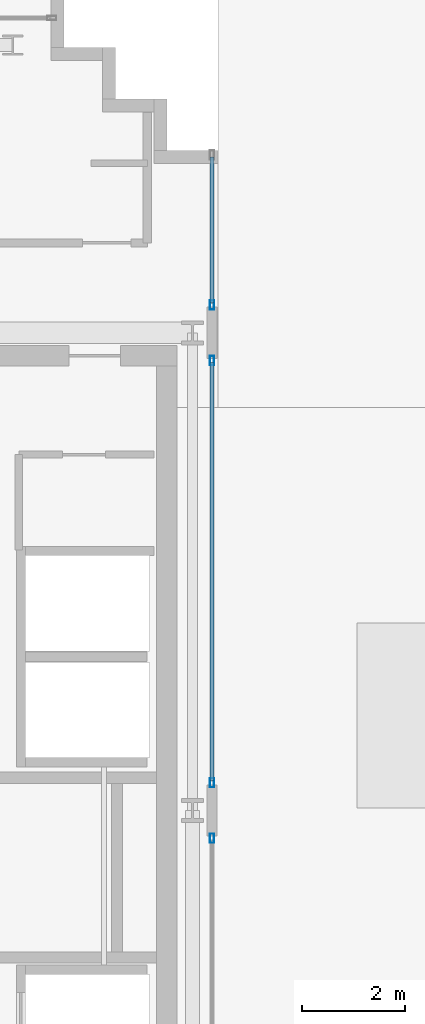
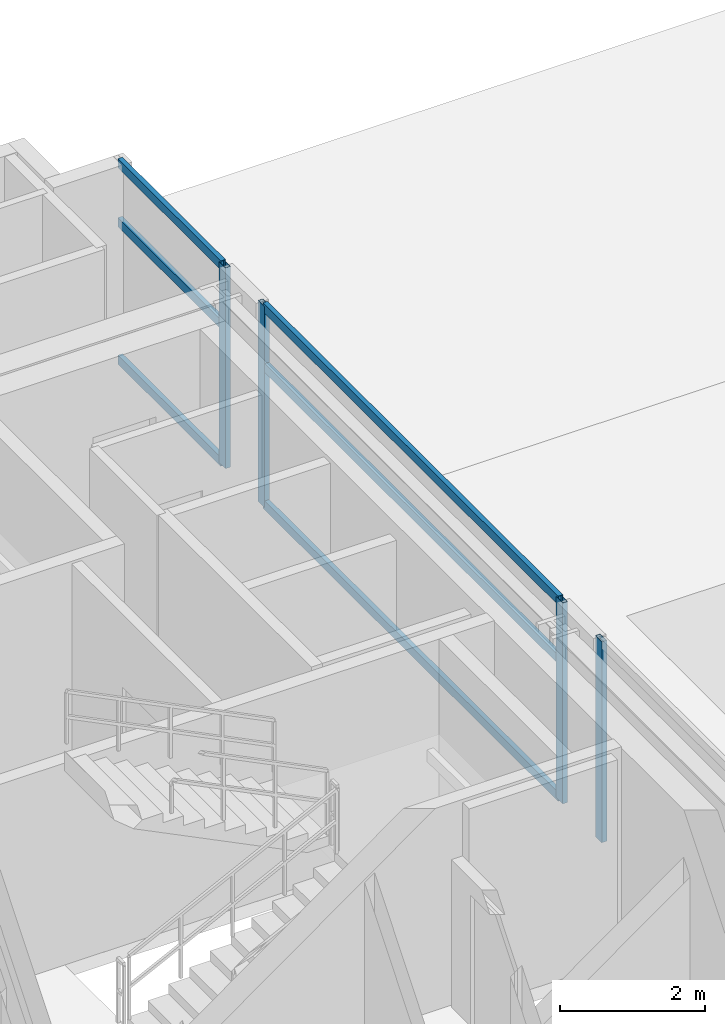
# One storey, part 7 of 25: 10 members, 3 elements without a shape of their own.
"""IFC4 building model written with IfcOpenShell, lengths in metres."""

from ifc_helpers import new_model, si_unit, direction, frame, origin, origin_2d, place, context, subcontext, project, spatial, hollow_rectangle, extrude, source, transform, mapped, material, layer, layer_set, material_profile, profile_set, type_object, element, aggregate, save


model = new_model("IFC4")

# Units and contexts
model_context = context("Model", 3, precision=1e-05, world=origin(), true_north=direction((0.0, 1.0)))
body_context = subcontext(model_context, "Body", "Model", "MODEL_VIEW")
ifc_project = project(units=[si_unit("LENGTHUNIT", "METRE"), si_unit("AREAUNIT", "SQUARE_METRE"), si_unit("VOLUMEUNIT", "CUBIC_METRE"), si_unit("PLANEANGLEUNIT", "RADIAN"), si_unit("MASSUNIT", "GRAM", prefix="KILO")], contexts=[model_context])

# Site, building, storey
site_placement = place(None, origin())
site = spatial("IfcSite", under=ifc_project, at=site_placement, CompositionType="ELEMENT")
building_placement = place(site_placement, origin())
building = spatial("IfcBuilding", under=site, at=building_placement, Name="Ocotamira Hotel", CompositionType="ELEMENT")
storey_placement = place(building_placement, frame((0.0, 0.0, 250.800048828125)))
storey = spatial("IfcBuildingStorey", under=building, at=storey_placement, Name="L63", CompositionType="ELEMENT", Elevation=250.800048828125)

# Curtain wall, member
ifc_material_1 = material(Name="Anodised pale-metal aluminium and solar glass", Category="aluminium")
ifc_layer = layer(ifc_material_1, 0.2099609375)
ifc_layer_set = layer_set([ifc_layer], Name="Anodised pale-metal aluminium and solar glass")
curtain_wall_type = type_object("IfcCurtainWallType", Name="CW-SYS7-PEAK", PredefinedType="NOTDEFINED", material=ifc_layer_set)
curtain_wall_1_placement = place(storey_placement, origin())
curtain_wall_1 = element("IfcCurtainWall", 1, at=curtain_wall_1_placement, inside=storey, type_object=curtain_wall_type, Name="L63 Curtain Wall CW-7 CW-L63-WI2", PredefinedType="NOTDEFINED")
ifc_material_2 = material(Name="Anodised pale-metal aluminium 6063-T6", Category="aluminium")
ifc_material_profile_1 = material_profile(ifc_material_2, hollow_rectangle(XDim=0.080078125, YDim=0.179931640625, WallThickness=0.006103515625, at=origin_2d()), Name="HSS180X80X6")
ifc_profile_set_1 = profile_set([ifc_material_profile_1], Name="Anodised pale-metal aluminium 6063-T6")
member_type_1 = type_object("IfcMemberType", Name="CWM-180X75", PredefinedType="MULLION", material=ifc_profile_set_1)
shared_shape_1 = source(origin(), body_context, "Body", "SweptSolid", [
    extrude(hollow_rectangle(XDim=0.080078125, YDim=0.179931640625, WallThickness=0.006103515625, at=origin_2d()), origin(), (0.0, 0.0, 1.0), 3.3798828125),
])
member_1_placement = place(storey_placement, frame((23.8798828125, 27.610107421875, 0.0), z_axis=(0.0, 0.0, 1.0), x_axis=(-1.0, 0.0, 0.0)))
member_1 = element("IfcMember", 2, at=member_1_placement, type_object=member_type_1, Name="CW-7 mullion 3", PredefinedType="MULLION", context=body_context, shape_type="MappedRepresentation", body=[
    mapped(shared_shape_1, transform((0.0, 0.0, 0.0), scale=1.0)),
])
aggregate(curtain_wall_1, [member_1])

# Curtain wall, members
curtain_wall_2_placement = place(storey_placement, origin())
curtain_wall_2 = element("IfcCurtainWall", 3, at=curtain_wall_2_placement, inside=storey, type_object=curtain_wall_type, Name="L63 Curtain Wall CW-7 CW-L63-WI3", PredefinedType="NOTDEFINED")
member_2_placement = place(storey_placement, frame((23.8798828125, 28.68994140625, 0.0), z_axis=(0.0, 0.0, 1.0), x_axis=(-1.0, 0.0, 0.0)))
member_2 = element("IfcMember", 4, at=member_2_placement, type_object=member_type_1, Name="CW-7 mullion 1", PredefinedType="MULLION", context=body_context, shape_type="MappedRepresentation", body=[
    mapped(shared_shape_1, transform((0.0, 0.0, 0.0), scale=1.0)),
])
member_3_placement = place(storey_placement, frame((23.8798828125, 36.909912109375, 0.0), z_axis=(0.0, 0.0, 1.0), x_axis=(-1.0, 0.0, 0.0)))
member_3 = element("IfcMember", 5, at=member_3_placement, type_object=member_type_1, Name="CW-7 mullion 2", PredefinedType="MULLION", context=body_context, shape_type="MappedRepresentation", body=[
    mapped(shared_shape_1, transform((0.0, 0.0, 0.0), scale=1.0)),
])

curtain_wall_3_placement = place(storey_placement, origin())
curtain_wall_3 = element("IfcCurtainWall", 6, at=curtain_wall_3_placement, inside=storey, type_object=curtain_wall_type, Name="L63 Curtain Wall CW-7 CW-L63-WI4", PredefinedType="NOTDEFINED")
member_4_placement = place(storey_placement, frame((23.8798828125, 37.989990234375, 0.0), z_axis=(0.0, 0.0, 1.0), x_axis=(-1.0, 0.0, 0.0)))
member_4 = element("IfcMember", 7, at=member_4_placement, type_object=member_type_1, Name="CW-7 mullion 1", PredefinedType="MULLION", context=body_context, shape_type="MappedRepresentation", body=[
    mapped(shared_shape_1, transform((0.0, 0.0, 0.0), scale=1.0)),
])
ifc_material_profile_2 = material_profile(ifc_material_2, hollow_rectangle(XDim=0.074951171875, YDim=0.14990234375, WallThickness=0.006103515625, at=origin_2d()), Name="HSS150X75X6")
ifc_profile_set_2 = profile_set([ifc_material_profile_2], Name="Anodised pale-metal aluminium 6063-T6")
member_type_2 = type_object("IfcMemberType", Name="CWT-150X75", PredefinedType="USERDEFINED", material=ifc_profile_set_2)
shared_shape_2 = source(origin(), body_context, "Body", "SweptSolid", [
    extrude(hollow_rectangle(XDim=0.074951171875, YDim=0.14990234375, WallThickness=0.006103515625, at=origin_2d()), origin(), (0.0, 0.0, 1.0), 2.840087890625),
])
member_5_placement = place(storey_placement, frame((23.8798828125, 38.030029296875, 0.037353515625), z_axis=(0.0, 1.0, 0.0), x_axis=(-1.0, 0.0, 0.0)))
member_5 = element("IfcMember", 8, at=member_5_placement, type_object=member_type_2, Name="CW-7 transom 1.1", ObjectType="TRANSOM", PredefinedType="USERDEFINED", context=body_context, shape_type="MappedRepresentation", body=[
    mapped(shared_shape_2, transform((0.0, 0.0, 0.0), scale=1.0)),
])
member_6_placement = place(storey_placement, frame((23.8798828125, 38.030029296875, 2.349853515625), z_axis=(0.0, 1.0, 0.0), x_axis=(-1.0, 0.0, 0.0)))
member_6 = element("IfcMember", 9, at=member_6_placement, type_object=member_type_2, Name="CW-7 transom 1.2", ObjectType="TRANSOM", PredefinedType="USERDEFINED", context=body_context, shape_type="MappedRepresentation", body=[
    mapped(shared_shape_2, transform((0.0, 0.0, 0.0), scale=1.0)),
])
member_7_placement = place(storey_placement, frame((23.8798828125, 38.030029296875, 3.342529296875), z_axis=(0.0, 1.0, 0.0), x_axis=(-1.0, 0.0, 0.0)))
member_7 = element("IfcMember", 10, at=member_7_placement, type_object=member_type_2, Name="CW-7 transom 1.3", ObjectType="TRANSOM", PredefinedType="USERDEFINED", context=body_context, shape_type="MappedRepresentation", body=[
    mapped(shared_shape_2, transform((0.0, 0.0, 0.0), scale=1.0)),
])
aggregate(curtain_wall_3, [member_4, member_5, member_6, member_7])

# Member
shared_shape_3 = source(origin(), body_context, "Body", "SweptSolid", [
    extrude(hollow_rectangle(XDim=0.074951171875, YDim=0.14990234375, WallThickness=0.006103515625, at=origin_2d()), origin(), (0.0, 0.0, 1.0), 8.14013671875),
])
member_8_placement = place(storey_placement, frame((23.8798828125, 28.72998046875, 0.037353515625), z_axis=(0.0, 1.0, 0.0), x_axis=(-1.0, 0.0, 0.0)))
member_8 = element("IfcMember", 11, at=member_8_placement, type_object=member_type_2, Name="CW-7 transom 1.1", ObjectType="TRANSOM", PredefinedType="USERDEFINED", context=body_context, shape_type="MappedRepresentation", body=[
    mapped(shared_shape_3, transform((0.0, 0.0, 0.0), scale=1.0)),
])

member_9_placement = place(storey_placement, frame((23.8798828125, 28.72998046875, 2.349853515625), z_axis=(0.0, 1.0, 0.0), x_axis=(-1.0, 0.0, 0.0)))
member_9 = element("IfcMember", 12, at=member_9_placement, type_object=member_type_2, Name="CW-7 transom 1.2", ObjectType="TRANSOM", PredefinedType="USERDEFINED", context=body_context, shape_type="MappedRepresentation", body=[
    mapped(shared_shape_3, transform((0.0, 0.0, 0.0), scale=1.0)),
])

member_10_placement = place(storey_placement, frame((23.8798828125, 28.72998046875, 3.342529296875), z_axis=(0.0, 1.0, 0.0), x_axis=(-1.0, 0.0, 0.0)))
member_10 = element("IfcMember", 13, at=member_10_placement, type_object=member_type_2, Name="CW-7 transom 1.3", ObjectType="TRANSOM", PredefinedType="USERDEFINED", context=body_context, shape_type="MappedRepresentation", body=[
    mapped(shared_shape_3, transform((0.0, 0.0, 0.0), scale=1.0)),
])

aggregate(curtain_wall_2, [member_2, member_3, member_8, member_9, member_10])

save(model, "model.ifc")
